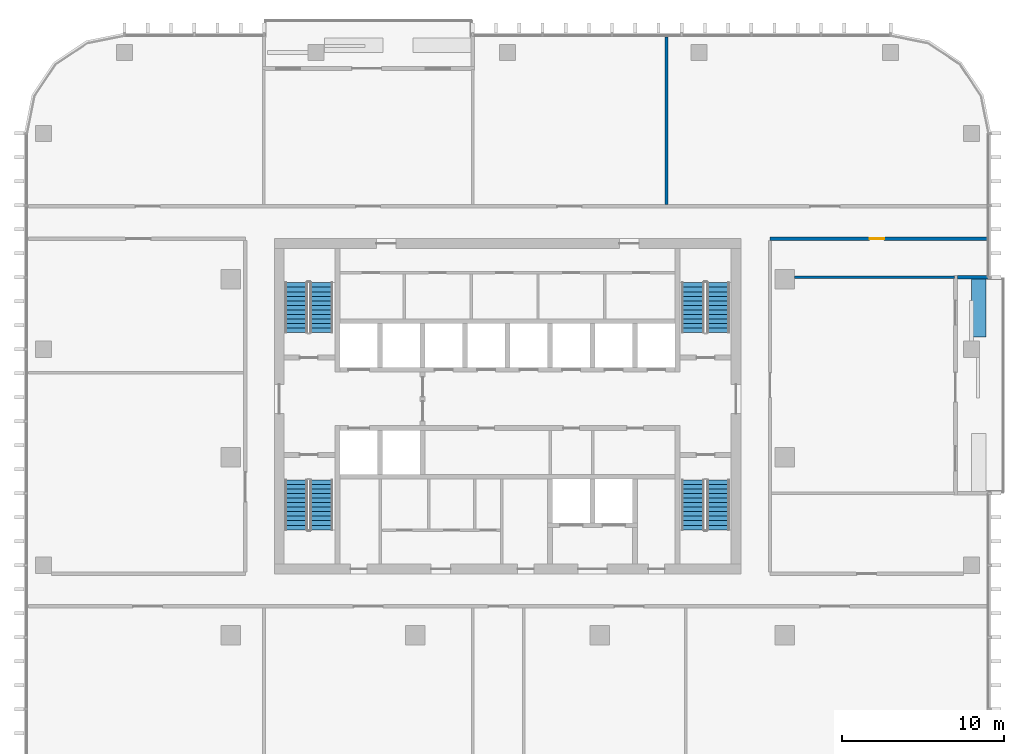
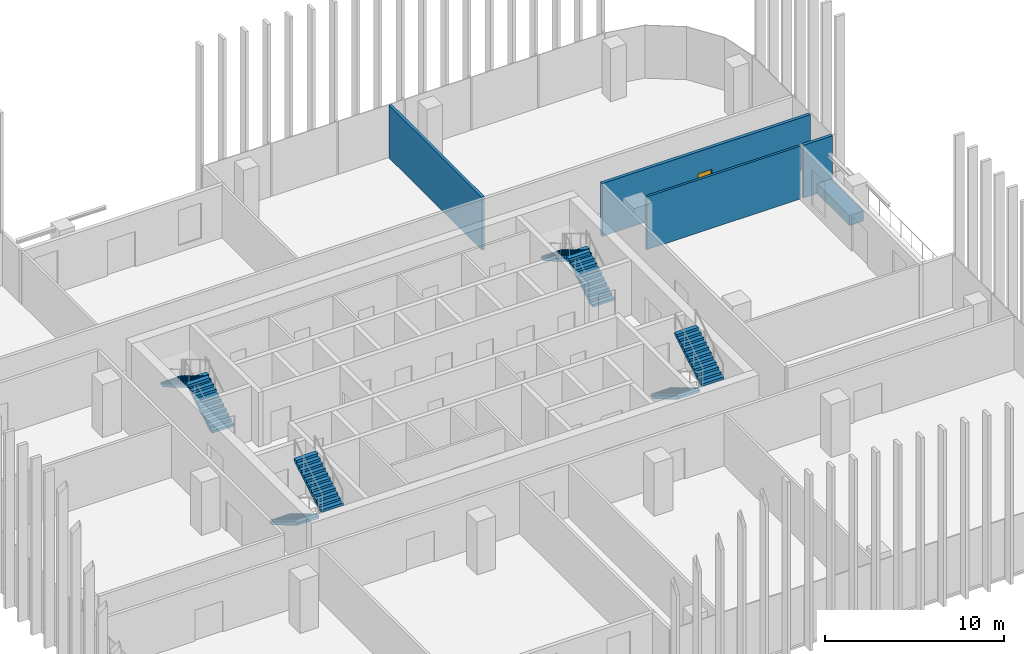
# One storey, part 10 of 16: 8 stair flights, 5 walls, 1 door, 1 opening, 4 elements without a shape of their own.
"""IFC4 building model written with IfcOpenShell, lengths in metres."""

import ifcopenshell
import ifcopenshell.guid

model = None  # the IFC model being written
_history = None  # IfcOwnerHistory: only IFC2X3 demands one
_inside = {}  # id of a spatial element -> (the spatial element, [elements in it])
_under = {}  # id of a project, library or spatial element -> (it, [spatial elements below it])
_declared = {}  # id of a project -> (the project, [libraries it declares])
_typed = {}  # id of a type object -> (the type object, [elements of that type])
_made_of = {}  # id of a material, layer set ... -> (it, [elements and type objects made of it])


def new_model(schema):
    """Start an empty IFC model of exactly this schema.

    Asked for "IFC4X3", IfcOpenShell would pick the latest addendum, in which some entities
    have other attributes; the version numbers below select the first issue.
    IFC2X3 requires an IfcOwnerHistory on every rooted entity: one is made here for all.
    """
    global model, _history
    if schema == "IFC4X3":
        model = ifcopenshell.file(schema_version=(4, 3, 0, 0))
    else:
        model = ifcopenshell.file(schema=schema)
    _inside.clear()
    _under.clear()
    _declared.clear()
    _typed.clear()
    _made_of.clear()
    _history = None
    if model.schema == "IFC2X3":
        org = make("IfcOrganization", Name="unknown")
        user = make(
            "IfcPersonAndOrganization",
            ThePerson=make("IfcPerson", FamilyName="unknown"),
            TheOrganization=org,
        )
        app = make(
            "IfcApplication",
            ApplicationDeveloper=org,
            Version="unknown",
            ApplicationFullName="unknown",
            ApplicationIdentifier="unknown",
        )
        _history = make(
            "IfcOwnerHistory",
            OwningUser=user,
            OwningApplication=app,
            ChangeAction="ADDED",
            CreationDate=0,
        )
    return model


def make(cls, **values):
    """One entity of the class cls with the attributes given. An attribute that is None is left unset."""
    return model.create_entity(
        cls, **{name: value for name, value in values.items() if value is not None}
    )


def rooted(cls, **values):
    """An entity with a GlobalId (a new one), such as an element, a storey or a relation."""
    return make(cls, GlobalId=ifcopenshell.guid.new(), OwnerHistory=_history, **values)


def si_unit(unit_type, name, prefix=None):
    """IfcSIUnit, for example si_unit("LENGTHUNIT", "METRE", prefix="MILLI")."""
    return make("IfcSIUnit", UnitType=unit_type, Prefix=prefix, Name=name)


def assignment(units):
    """IfcUnitAssignment: the units of a project."""
    return None if units is None else make("IfcUnitAssignment", Units=units)


def point(xyz):
    """IfcCartesianPoint."""
    return None if xyz is None else make("IfcCartesianPoint", Coordinates=xyz)


def direction(xyz):
    """IfcDirection."""
    return None if xyz is None else make("IfcDirection", DirectionRatios=xyz)


def frame(location, z_axis=None, x_axis=None):
    """IfcAxis2Placement3D, a coordinate frame: its origin and axes. An axis left out is left unset."""
    return make(
        "IfcAxis2Placement3D",
        Location=point(location),
        Axis=direction(z_axis),
        RefDirection=direction(x_axis),
    )


def frame_2d(location, x_axis=None):
    """IfcAxis2Placement2D, a coordinate frame in the plane: its origin and x axis."""
    return make(
        "IfcAxis2Placement2D", Location=point(location), RefDirection=direction(x_axis)
    )


def origin():
    """The frame at (0, 0, 0) with its axes left unset."""
    return frame((0.0, 0.0, 0.0))


def place(relative_to, where):
    """IfcLocalPlacement: puts the frame where relative to a parent placement (None: the world)."""
    return make(
        "IfcLocalPlacement", PlacementRelTo=relative_to, RelativePlacement=where
    )


def context(
    kind, dimensions, precision=None, world=None, true_north=None, identifier=None
):
    """IfcGeometricRepresentationContext, for example the 3D "Model" context."""
    return make(
        "IfcGeometricRepresentationContext",
        ContextIdentifier=identifier,
        ContextType=kind,
        CoordinateSpaceDimension=dimensions,
        Precision=precision,
        WorldCoordinateSystem=world,
        TrueNorth=true_north,
    )


def subcontext(parent, identifier, kind, view, scale=None):
    """IfcGeometricRepresentationSubContext, for example "Body" below "Model"."""
    return make(
        "IfcGeometricRepresentationSubContext",
        ContextIdentifier=identifier,
        ContextType=kind,
        ParentContext=parent,
        TargetScale=scale,
        TargetView=view,
    )


def project(units=None, contexts=None):
    """IfcProject with its units and contexts."""
    return rooted(
        "IfcProject",
        Name="project",
        RepresentationContexts=contexts,
        UnitsInContext=assignment(units),
    )


def spatial(cls, under=None, at=None, **own):
    """A site, building, storey or space (cls), placed at a placement, below another one or the project."""
    s = rooted(cls, ObjectPlacement=at, **own)
    if under is not None:
        _under.setdefault(under.id(), (under, []))[1].append(s)
    return s


def polyline(points):
    """IfcPolyline through the points."""
    return make("IfcPolyline", Points=[point(p) for p in points])


def profile(cls, at=None, kind="AREA", **sizes):
    """A parametric profile (cls). Its sizes go by their IFC names, for example OverallWidth=200.0."""
    return make(cls, ProfileType=kind, Position=at, **sizes)


def rectangle(**sizes):
    """IfcRectangleProfileDef."""
    return profile("IfcRectangleProfileDef", **sizes)


def outline(outer, holes=None, kind="AREA"):
    """IfcArbitraryClosedProfileDef: a profile drawn as a closed curve; with holes, ...WithVoids."""
    if holes is None:
        return make("IfcArbitraryClosedProfileDef", ProfileType=kind, OuterCurve=outer)
    return make(
        "IfcArbitraryProfileDefWithVoids",
        ProfileType=kind,
        OuterCurve=outer,
        InnerCurves=holes,
    )


def extrude(swept, where, along, depth):
    """IfcExtrudedAreaSolid: the profile swept, set in the frame where, extruded along a direction by depth."""
    return make(
        "IfcExtrudedAreaSolid",
        SweptArea=swept,
        Position=where,
        ExtrudedDirection=direction(along),
        Depth=depth,
    )


def shape(context_of_items, identifier, shape_type, items):
    """IfcShapeRepresentation: the items that make up one representation, for example the "Body"."""
    return make(
        "IfcShapeRepresentation",
        ContextOfItems=context_of_items,
        RepresentationIdentifier=identifier,
        RepresentationType=shape_type,
        Items=items,
    )


def material(Name=None, Category=None):
    """IfcMaterial."""
    return make("IfcMaterial", Name=Name, Category=Category)


def layer(
    of_material, thickness, ventilated=None, Name=None, Category=None, Priority=None
):
    """IfcMaterialLayer: one layer of a wall or slab, of a material (None: an air gap)."""
    return make(
        "IfcMaterialLayer",
        Material=of_material,
        LayerThickness=thickness,
        IsVentilated=ventilated,
        Name=Name,
        Category=Category,
        Priority=Priority,
    )


def layer_set(layers, Name=None):
    """IfcMaterialLayerSet."""
    return make("IfcMaterialLayerSet", MaterialLayers=layers, LayerSetName=Name)


def made_of(thing, what):
    """Note that an element or type object is made of a material, layer set ...; save() writes the relation."""
    if what is not None:
        _made_of.setdefault(what.id(), (what, []))[1].append(thing)
    return thing


def type_object(cls, material=None, **own):
    """A type object (cls), such as IfcWallType, which elements share."""
    return made_of(rooted(cls, **own), material)


def element(
    cls,
    number,
    at=None,
    inside=None,
    cuts=None,
    type_object=None,
    material=None,
    context=None,
    identifier="Body",
    shape_type=None,
    held_by="IfcProductDefinitionShape",
    body=None,
    shapes=None,
    **own,
):
    """One element of the class cls, such as IfcWall. Its Tag is "e" and its number.

    at: its placement. inside: the storey or other place that contains it. cuts: it is an
    opening in that element (IfcRelVoidsElement). A single representation is given by context,
    identifier, shape_type and body (its items); several are given by shapes. held_by: the class
    of the entity that holds the representations. save() writes the other relations.
    """
    e = rooted(cls, Tag="e%d" % number, ObjectPlacement=at, **own)
    if body is not None:
        shapes = [shape(context, identifier, shape_type, body)]
    if shapes is not None:
        e.Representation = make(held_by, Representations=shapes)
    if inside is not None:
        _inside.setdefault(inside.id(), (inside, []))[1].append(e)
    if cuts is not None:
        rooted(
            "IfcRelVoidsElement", RelatingBuildingElement=cuts, RelatedOpeningElement=e
        )
    if type_object is not None:
        _typed.setdefault(type_object.id(), (type_object, []))[1].append(e)
    return made_of(e, material)


def fill(opening, filler):
    """IfcRelFillsElement: the door or window that sits in an opening."""
    return rooted(
        "IfcRelFillsElement",
        RelatingOpeningElement=opening,
        RelatedBuildingElement=filler,
    )


def aggregate(whole, parts):
    """IfcRelAggregates: a whole, such as a stair, and the parts it consists of."""
    return rooted("IfcRelAggregates", RelatingObject=whole, RelatedObjects=parts)


def save(model, path):
    """Write the relations noted so far, then the file.

    IfcRelAggregates (storeys below a building ...), IfcRelContainedInSpatialStructure (elements
    in a storey), IfcRelDefinesByType, IfcRelAssociatesMaterial and IfcRelDeclares: one each for
    every whole, place, type object, material and project.
    """
    for whole, parts in _under.values():
        aggregate(whole, parts)
    for where, things in _inside.values():
        rooted(
            "IfcRelContainedInSpatialStructure",
            RelatedElements=things,
            RelatingStructure=where,
        )
    for kind, things in _typed.values():
        rooted("IfcRelDefinesByType", RelatedObjects=things, RelatingType=kind)
    for what, things in _made_of.values():
        rooted("IfcRelAssociatesMaterial", RelatedObjects=things, RelatingMaterial=what)
    for by, libraries in _declared.values():
        rooted("IfcRelDeclares", RelatingContext=by, RelatedDefinitions=libraries)
    model.write(path)


model = new_model("IFC4")

# Units and contexts
model_context = context("Model", 3, precision=1e-05, world=origin(), true_north=direction((0.0, 1.0)))
body_context = subcontext(model_context, "Body", "Model", "MODEL_VIEW")
ifc_project = project(units=[si_unit("LENGTHUNIT", "METRE"), si_unit("AREAUNIT", "SQUARE_METRE"), si_unit("VOLUMEUNIT", "CUBIC_METRE"), si_unit("PLANEANGLEUNIT", "RADIAN"), si_unit("MASSUNIT", "GRAM", prefix="KILO")], contexts=[model_context])

# Site, building, storey
site_placement = place(None, origin())
site = spatial("IfcSite", under=ifc_project, at=site_placement, CompositionType="ELEMENT")
building_placement = place(site_placement, origin())
building = spatial("IfcBuilding", under=site, at=building_placement, Name="Mopane Tessera Tower", CompositionType="ELEMENT")
storey_placement = place(building_placement, frame((0.0, 0.0, 291.39990234375)))
storey = spatial("IfcBuildingStorey", under=building, at=storey_placement, Name="L63", CompositionType="ELEMENT", Elevation=291.39990234375)

# Wall
ifc_material_1 = material(Name="Gypsum board on staggered steel studs, double layer each face, acoustic mineral wool infill", Category="steel")
ifc_layer_1 = layer(ifc_material_1, 0.175048828125)
ifc_layer_set_1 = layer_set([ifc_layer_1], Name="Gypsum board on staggered steel studs, double layer each face, acoustic mineral wool infill")
wall_type_1 = type_object("IfcWallType", Name="Gypsum board acoustic partition 175, rated EI 60", PredefinedType="PARTITIONING", material=ifc_layer_set_1)
wall_1_placement = place(storey_placement, frame((9.800048828125, 15.60009765625, 0.0), z_axis=(0.0, 0.0, 1.0), x_axis=(0.0, 1.0, 0.0)))
element("IfcWall", 1, at=wall_1_placement, inside=storey, type_object=wall_type_1, Name="Partition L63:015", PredefinedType="PARTITIONING", context=body_context, shape_type="SweptSolid", body=[
    extrude(rectangle(XDim=10.349853515625, YDim=0.175048828125, at=frame_2d((5.1748046875, 0.0))), origin(), (0.0, 0.0, 1.0), 3.60009765625),
])

# Wall, opening, door
ifc_material_2 = material(Name="Gypsum board on steel studs, two layers each face, mineral wool infill", Category="steel")
ifc_layer_2 = layer(ifc_material_2, 0.199951171875)
ifc_layer_set_2 = layer_set([ifc_layer_2], Name="Gypsum board on steel studs, two layers each face, mineral wool infill")
wall_type_2 = type_object("IfcWallType", Name="Gypsum board corridor wall 200, rated EI 60", PredefinedType="PARTITIONING", material=ifc_layer_set_2)
wall_2_placement = place(storey_placement, frame((16.199951171875, 13.5, 0.0), z_axis=(0.0, 0.0, 1.0), x_axis=(1.0, 0.0, 0.0)))
wall_2 = element("IfcWall", 2, at=wall_2_placement, inside=storey, type_object=wall_type_2, Name="Partition L63:007", PredefinedType="PARTITIONING", context=body_context, shape_type="SweptSolid", body=[
    extrude(rectangle(XDim=13.400146484375, YDim=0.199951171875, at=frame_2d((6.7001953125, 0.0))), origin(), (0.0, 0.0, 1.0), 3.60009765625),
])
opening_placement = place(wall_2_placement, frame((6.14990234375, 0.0, 0.0)))
opening = element("IfcOpeningElement", 3, at=opening_placement, cuts=wall_2, Name="Opening L63-03", PredefinedType="OPENING", context=body_context, shape_type="SweptSolid", body=[
    extrude(rectangle(XDim=0.89990234375, YDim=2.10009765625, at=frame_2d((0.449951171875, 1.050048828125))), frame((0.0, 0.112060546875, 0.0), z_axis=(0.0, -1.0, 0.0), x_axis=(1.0, 0.0, 0.0)), (0.0, 0.0, 1.0), 0.223876953125),
])
ifc_material_3 = material(Name="Timber veneered steel-framed fire door", Category="steel")
door_type = type_object("IfcDoorType", Name="Fire door FD60 900 x 2100", OperationType="SINGLE_SWING_LEFT", PredefinedType="DOOR", material=ifc_material_3)
door_placement = place(opening_placement, origin())
door = element("IfcDoor", 4, at=door_placement, inside=storey, type_object=door_type, Name="Door L63-03", ObjectType="D10A", OperationType="SINGLE_SWING_LEFT", OverallHeight=2.10009765625, OverallWidth=0.89990234375, PredefinedType="DOOR", context=body_context, shape_type="SweptSolid", body=[
    extrude(rectangle(XDim=0.89990234375, YDim=2.10009765625, at=frame_2d((0.449951171875, 1.050048828125))), frame((0.0, 0.02490234375, 0.0), z_axis=(0.0, -1.0, 0.0), x_axis=(1.0, 0.0, 0.0)), (0.0, 0.0, 1.0), 0.050048828125),
])
fill(opening, door)

# Walls
ifc_material_4 = material(Name="Gypsum board on steel studs, mineral wool infill", Category="steel")
ifc_layer_3 = layer(ifc_material_4, 0.14990234375)
ifc_layer_set_3 = layer_set([ifc_layer_3], Name="Gypsum board on steel studs, mineral wool infill")
wall_type_3 = type_object("IfcWallType", Name="Gypsum board partition 150, rated EI 60", PredefinedType="PARTITIONING", material=ifc_layer_set_3)
wall_3_placement = place(storey_placement, frame((17.699951171875, 11.110107421875, 0.0), z_axis=(0.0, 0.0, 1.0), x_axis=(1.0, 0.0, 0.0)))
element("IfcWall", 5, at=wall_3_placement, inside=storey, type_object=wall_type_3, Name="Partition L63:005", PredefinedType="PARTITIONING", context=body_context, shape_type="SweptSolid", body=[
    extrude(rectangle(XDim=9.900146484375, YDim=0.14990234375, at=frame_2d((4.9501953125, 0.0))), origin(), (0.0, 0.0, 1.0), 3.60009765625),
])
ifc_material_5 = material(Name="Reinforced concrete C32/40 with waterproofing", Category="concrete")
ifc_layer_4 = layer(ifc_material_5, 0.89990234375)
ifc_layer_set_4 = layer_set([ifc_layer_4], Name="Reinforced concrete C32/40 with waterproofing")
wall_type_4 = type_object("IfcWallType", Name="Planter trough 3600 x 900", PredefinedType="STANDARD", material=ifc_layer_set_4)
wall_4_placement = place(storey_placement, frame((29.10009765625, 7.4111328125, 0.0), z_axis=(0.0, 0.0, 1.0), x_axis=(0.0, 1.0, 0.0)))
element("IfcWall", 6, at=wall_4_placement, inside=storey, type_object=wall_type_4, Name="e:nw:L63:N1:pl1", PredefinedType="STANDARD", context=body_context, shape_type="SweptSolid", body=[
    extrude(rectangle(XDim=3.60009765625, YDim=0.89990234375, at=frame_2d((1.800048828125, 0.0))), origin(), (0.0, 0.0, 1.0), 0.7001953125),
])
ifc_material_6 = material(Name="Blockwork with glazed tile facing", Category="masonry")
ifc_layer_5 = layer(ifc_material_6, 0.199951171875)
ifc_layer_set_5 = layer_set([ifc_layer_5], Name="Blockwork with glazed tile facing")
wall_type_5 = type_object("IfcWallType", Name="Terrace cheek wall 200", PredefinedType="STANDARD", material=ifc_layer_set_5)
wall_5_placement = place(storey_placement, frame((29.64990234375, 11.111083984375, 0.0), z_axis=(0.0, 0.0, 1.0), x_axis=(-1.0, 0.0, 0.0)))
element("IfcWall", 7, at=wall_5_placement, inside=storey, type_object=wall_type_5, Name="e:nw:L63:N1:cheekb", PredefinedType="STANDARD", context=body_context, shape_type="SweptSolid", body=[
    extrude(rectangle(XDim=1.875, YDim=0.199951171875, at=frame_2d((0.9375, 0.0))), origin(), (0.0, 0.0, 1.0), 3.60009765625),
])

# Stair, stair flights
ifc_material_7 = material(Name="Concrete C50/60", Category="concrete")
stair_type = type_object("IfcStairType", Name="Escape stair 1400 mm, riser 167 mm", PredefinedType="HALF_TURN_STAIR", material=ifc_material_7)
stair_1_placement = place(storey_placement, origin())
stair_1 = element("IfcStair", 8, at=stair_1_placement, inside=storey, type_object=stair_type, Name="L63 Escape stair south-west", PredefinedType="HALF_TURN_STAIR")
ifc_material_8 = material(Name="Concrete C50/60", Category="concrete")
stair_flight_type = type_object("IfcStairFlightType", Name="Escape stair flight 1400 mm", PredefinedType="STRAIGHT", material=ifc_material_8)
stair_flight_1_placement = place(storey_placement, frame((-13.050048828125, -1.39990234375, 0.0), z_axis=(0.0, 0.0, 1.0), x_axis=(0.0, -1.0, 0.0)))
stair_flight_1 = element("IfcStairFlight", 9, at=stair_flight_1_placement, type_object=stair_flight_type, Name="ST1 flight 1", NumberOfRisers=12, NumberOfTreads=11, PredefinedType="STRAIGHT", RiserHeight=0.166666667, TreadLength=0.28, context=body_context, shape_type="SweptSolid", body=[
    extrude(outline(polyline([(0.0, 0.0), (0.0, 0.166748046875), (0.280029296875, 0.166748046875), (0.280029296875, 0.333251953125), (0.56005859375, 0.333251953125), (0.56005859375, 0.5), (0.840087890625, 0.5), (0.840087890625, 0.666748046875), (1.1201171875, 0.666748046875), (1.1201171875, 0.833251953125), (1.39990234375, 0.833251953125), (1.39990234375, 1.0), (1.679931640625, 1.0), (1.679931640625, 1.166748046875), (1.9599609375, 1.166748046875), (1.9599609375, 1.333251953125), (2.239990234375, 1.333251953125), (2.239990234375, 1.5), (2.52001953125, 1.5), (2.52001953125, 1.666748046875), (2.800048828125, 1.666748046875), (2.800048828125, 1.833251953125), (3.080078125, 1.833251953125), (3.080078125, 2.0), (3.080078125, 1.658935546875), (0.29296875, 0.0), (0.0, 0.0)])), frame((0.0, 0.699951171875, 0.0), z_axis=(0.0, -1.0, 0.0), x_axis=(1.0, 0.0, 0.0)), (0.0, 0.0, 1.0), 1.39990234375),
])
stair_flight_2_placement = place(storey_placement, frame((-11.5, -4.47998046875, 2.0), z_axis=(0.0, 0.0, 1.0), x_axis=(0.0, 1.0, 0.0)))
stair_flight_2 = element("IfcStairFlight", 10, at=stair_flight_2_placement, type_object=stair_flight_type, Name="ST1 flight 2", NumberOfRisers=12, NumberOfTreads=11, PredefinedType="STRAIGHT", RiserHeight=0.166666667, TreadLength=0.28, context=body_context, shape_type="SweptSolid", body=[
    extrude(outline(polyline([(0.0, 0.0), (0.0, 0.166748046875), (0.280029296875, 0.166748046875), (0.280029296875, 0.333251953125), (0.56005859375, 0.333251953125), (0.56005859375, 0.5), (0.840087890625, 0.5), (0.840087890625, 0.666748046875), (1.1201171875, 0.666748046875), (1.1201171875, 0.833251953125), (1.39990234375, 0.833251953125), (1.39990234375, 1.0), (1.679931640625, 1.0), (1.679931640625, 1.166748046875), (1.9599609375, 1.166748046875), (1.9599609375, 1.333251953125), (2.239990234375, 1.333251953125), (2.239990234375, 1.5), (2.52001953125, 1.5), (2.52001953125, 1.666748046875), (2.800048828125, 1.666748046875), (2.800048828125, 1.833251953125), (3.080078125, 1.833251953125), (3.080078125, 2.0), (3.080078125, 1.658935546875), (0.29296875, 0.0), (0.0, 0.0)])), frame((0.0, 0.699951171875, 0.0), z_axis=(0.0, -1.0, 0.0), x_axis=(1.0, 0.0, 0.0)), (0.0, 0.0, 1.0), 1.39990234375),
])
aggregate(stair_1, [stair_flight_1, stair_flight_2])

stair_2_placement = place(storey_placement, origin())
stair_2 = element("IfcStair", 11, at=stair_2_placement, inside=storey, type_object=stair_type, Name="L63 Escape stair north-west", PredefinedType="HALF_TURN_STAIR")
stair_flight_3_placement = place(storey_placement, frame((-11.5, 7.699951171875, 0.0), z_axis=(0.0, 0.0, 1.0), x_axis=(0.0, 1.0, 0.0)))
stair_flight_3 = element("IfcStairFlight", 12, at=stair_flight_3_placement, type_object=stair_flight_type, Name="ST2 flight 1", NumberOfRisers=12, NumberOfTreads=11, PredefinedType="STRAIGHT", RiserHeight=0.166666667, TreadLength=0.28, context=body_context, shape_type="SweptSolid", body=[
    extrude(outline(polyline([(0.0, 0.0), (0.0, 0.166748046875), (0.280029296875, 0.166748046875), (0.280029296875, 0.333251953125), (0.56005859375, 0.333251953125), (0.56005859375, 0.5), (0.840087890625, 0.5), (0.840087890625, 0.666748046875), (1.1201171875, 0.666748046875), (1.1201171875, 0.833251953125), (1.39990234375, 0.833251953125), (1.39990234375, 1.0), (1.679931640625, 1.0), (1.679931640625, 1.166748046875), (1.9599609375, 1.166748046875), (1.9599609375, 1.333251953125), (2.239990234375, 1.333251953125), (2.239990234375, 1.5), (2.52001953125, 1.5), (2.52001953125, 1.666748046875), (2.800048828125, 1.666748046875), (2.800048828125, 1.833251953125), (3.080078125, 1.833251953125), (3.080078125, 2.0), (3.080078125, 1.658935546875), (0.29296875, 0.0), (0.0, 0.0)])), frame((0.0, 0.699951171875, 0.0), z_axis=(0.0, -1.0, 0.0), x_axis=(1.0, 0.0, 0.0)), (0.0, 0.0, 1.0), 1.39990234375),
])
stair_flight_4_placement = place(storey_placement, frame((-13.050048828125, 10.780029296875, 2.0), z_axis=(0.0, 0.0, 1.0), x_axis=(0.0, -1.0, 0.0)))
stair_flight_4 = element("IfcStairFlight", 13, at=stair_flight_4_placement, type_object=stair_flight_type, Name="ST2 flight 2", NumberOfRisers=12, NumberOfTreads=11, PredefinedType="STRAIGHT", RiserHeight=0.166666667, TreadLength=0.28, context=body_context, shape_type="SweptSolid", body=[
    extrude(outline(polyline([(0.0, 0.0), (0.0, 0.166748046875), (0.280029296875, 0.166748046875), (0.280029296875, 0.333251953125), (0.56005859375, 0.333251953125), (0.56005859375, 0.5), (0.840087890625, 0.5), (0.840087890625, 0.666748046875), (1.1201171875, 0.666748046875), (1.1201171875, 0.833251953125), (1.39990234375, 0.833251953125), (1.39990234375, 1.0), (1.679931640625, 1.0), (1.679931640625, 1.166748046875), (1.9599609375, 1.166748046875), (1.9599609375, 1.333251953125), (2.239990234375, 1.333251953125), (2.239990234375, 1.5), (2.52001953125, 1.5), (2.52001953125, 1.666748046875), (2.800048828125, 1.666748046875), (2.800048828125, 1.833251953125), (3.080078125, 1.833251953125), (3.080078125, 2.0), (3.080078125, 1.658935546875), (0.29296875, 0.0), (0.0, 0.0)])), frame((0.0, 0.699951171875, 0.0), z_axis=(0.0, -1.0, 0.0), x_axis=(1.0, 0.0, 0.0)), (0.0, 0.0, 1.0), 1.39990234375),
])
aggregate(stair_2, [stair_flight_3, stair_flight_4])

stair_3_placement = place(storey_placement, origin())
stair_3 = element("IfcStair", 14, at=stair_3_placement, inside=storey, type_object=stair_type, Name="L63 Escape stair south-east", PredefinedType="HALF_TURN_STAIR")
stair_flight_5_placement = place(storey_placement, frame((11.449951171875, -1.39990234375, 0.0), z_axis=(0.0, 0.0, 1.0), x_axis=(0.0, -1.0, 0.0)))
stair_flight_5 = element("IfcStairFlight", 15, at=stair_flight_5_placement, type_object=stair_flight_type, Name="ST3 flight 1", NumberOfRisers=12, NumberOfTreads=11, PredefinedType="STRAIGHT", RiserHeight=0.166666667, TreadLength=0.28, context=body_context, shape_type="SweptSolid", body=[
    extrude(outline(polyline([(0.0, 0.0), (0.0, 0.166748046875), (0.280029296875, 0.166748046875), (0.280029296875, 0.333251953125), (0.56005859375, 0.333251953125), (0.56005859375, 0.5), (0.840087890625, 0.5), (0.840087890625, 0.666748046875), (1.1201171875, 0.666748046875), (1.1201171875, 0.833251953125), (1.39990234375, 0.833251953125), (1.39990234375, 1.0), (1.679931640625, 1.0), (1.679931640625, 1.166748046875), (1.9599609375, 1.166748046875), (1.9599609375, 1.333251953125), (2.239990234375, 1.333251953125), (2.239990234375, 1.5), (2.52001953125, 1.5), (2.52001953125, 1.666748046875), (2.800048828125, 1.666748046875), (2.800048828125, 1.833251953125), (3.080078125, 1.833251953125), (3.080078125, 2.0), (3.080078125, 1.658935546875), (0.29296875, 0.0), (0.0, 0.0)])), frame((0.0, 0.699951171875, 0.0), z_axis=(0.0, -1.0, 0.0), x_axis=(1.0, 0.0, 0.0)), (0.0, 0.0, 1.0), 1.39990234375),
])
stair_flight_6_placement = place(storey_placement, frame((13.0, -4.47998046875, 2.0), z_axis=(0.0, 0.0, 1.0), x_axis=(0.0, 1.0, 0.0)))
stair_flight_6 = element("IfcStairFlight", 16, at=stair_flight_6_placement, type_object=stair_flight_type, Name="ST3 flight 2", NumberOfRisers=12, NumberOfTreads=11, PredefinedType="STRAIGHT", RiserHeight=0.166666667, TreadLength=0.28, context=body_context, shape_type="SweptSolid", body=[
    extrude(outline(polyline([(0.0, 0.0), (0.0, 0.166748046875), (0.280029296875, 0.166748046875), (0.280029296875, 0.333251953125), (0.56005859375, 0.333251953125), (0.56005859375, 0.5), (0.840087890625, 0.5), (0.840087890625, 0.666748046875), (1.1201171875, 0.666748046875), (1.1201171875, 0.833251953125), (1.39990234375, 0.833251953125), (1.39990234375, 1.0), (1.679931640625, 1.0), (1.679931640625, 1.166748046875), (1.9599609375, 1.166748046875), (1.9599609375, 1.333251953125), (2.239990234375, 1.333251953125), (2.239990234375, 1.5), (2.52001953125, 1.5), (2.52001953125, 1.666748046875), (2.800048828125, 1.666748046875), (2.800048828125, 1.833251953125), (3.080078125, 1.833251953125), (3.080078125, 2.0), (3.080078125, 1.658935546875), (0.29296875, 0.0), (0.0, 0.0)])), frame((0.0, 0.699951171875, 0.0), z_axis=(0.0, -1.0, 0.0), x_axis=(1.0, 0.0, 0.0)), (0.0, 0.0, 1.0), 1.39990234375),
])
aggregate(stair_3, [stair_flight_5, stair_flight_6])

stair_4_placement = place(storey_placement, origin())
stair_4 = element("IfcStair", 17, at=stair_4_placement, inside=storey, type_object=stair_type, Name="L63 Escape stair north-east", PredefinedType="HALF_TURN_STAIR")
stair_flight_7_placement = place(storey_placement, frame((13.0, 7.699951171875, 0.0), z_axis=(0.0, 0.0, 1.0), x_axis=(0.0, 1.0, 0.0)))
stair_flight_7 = element("IfcStairFlight", 18, at=stair_flight_7_placement, type_object=stair_flight_type, Name="ST4 flight 1", NumberOfRisers=12, NumberOfTreads=11, PredefinedType="STRAIGHT", RiserHeight=0.166666667, TreadLength=0.28, context=body_context, shape_type="SweptSolid", body=[
    extrude(outline(polyline([(0.0, 0.0), (0.0, 0.166748046875), (0.280029296875, 0.166748046875), (0.280029296875, 0.333251953125), (0.56005859375, 0.333251953125), (0.56005859375, 0.5), (0.840087890625, 0.5), (0.840087890625, 0.666748046875), (1.1201171875, 0.666748046875), (1.1201171875, 0.833251953125), (1.39990234375, 0.833251953125), (1.39990234375, 1.0), (1.679931640625, 1.0), (1.679931640625, 1.166748046875), (1.9599609375, 1.166748046875), (1.9599609375, 1.333251953125), (2.239990234375, 1.333251953125), (2.239990234375, 1.5), (2.52001953125, 1.5), (2.52001953125, 1.666748046875), (2.800048828125, 1.666748046875), (2.800048828125, 1.833251953125), (3.080078125, 1.833251953125), (3.080078125, 2.0), (3.080078125, 1.658935546875), (0.29296875, 0.0), (0.0, 0.0)])), frame((0.0, 0.699951171875, 0.0), z_axis=(0.0, -1.0, 0.0), x_axis=(1.0, 0.0, 0.0)), (0.0, 0.0, 1.0), 1.39990234375),
])
stair_flight_8_placement = place(storey_placement, frame((11.449951171875, 10.780029296875, 2.0), z_axis=(0.0, 0.0, 1.0), x_axis=(0.0, -1.0, 0.0)))
stair_flight_8 = element("IfcStairFlight", 19, at=stair_flight_8_placement, type_object=stair_flight_type, Name="ST4 flight 2", NumberOfRisers=12, NumberOfTreads=11, PredefinedType="STRAIGHT", RiserHeight=0.166666667, TreadLength=0.28, context=body_context, shape_type="SweptSolid", body=[
    extrude(outline(polyline([(0.0, 0.0), (0.0, 0.166748046875), (0.280029296875, 0.166748046875), (0.280029296875, 0.333251953125), (0.56005859375, 0.333251953125), (0.56005859375, 0.5), (0.840087890625, 0.5), (0.840087890625, 0.666748046875), (1.1201171875, 0.666748046875), (1.1201171875, 0.833251953125), (1.39990234375, 0.833251953125), (1.39990234375, 1.0), (1.679931640625, 1.0), (1.679931640625, 1.166748046875), (1.9599609375, 1.166748046875), (1.9599609375, 1.333251953125), (2.239990234375, 1.333251953125), (2.239990234375, 1.5), (2.52001953125, 1.5), (2.52001953125, 1.666748046875), (2.800048828125, 1.666748046875), (2.800048828125, 1.833251953125), (3.080078125, 1.833251953125), (3.080078125, 2.0), (3.080078125, 1.658935546875), (0.29296875, 0.0), (0.0, 0.0)])), frame((0.0, 0.699951171875, 0.0), z_axis=(0.0, -1.0, 0.0), x_axis=(1.0, 0.0, 0.0)), (0.0, 0.0, 1.0), 1.39990234375),
])
aggregate(stair_4, [stair_flight_7, stair_flight_8])

save(model, "model.ifc")
